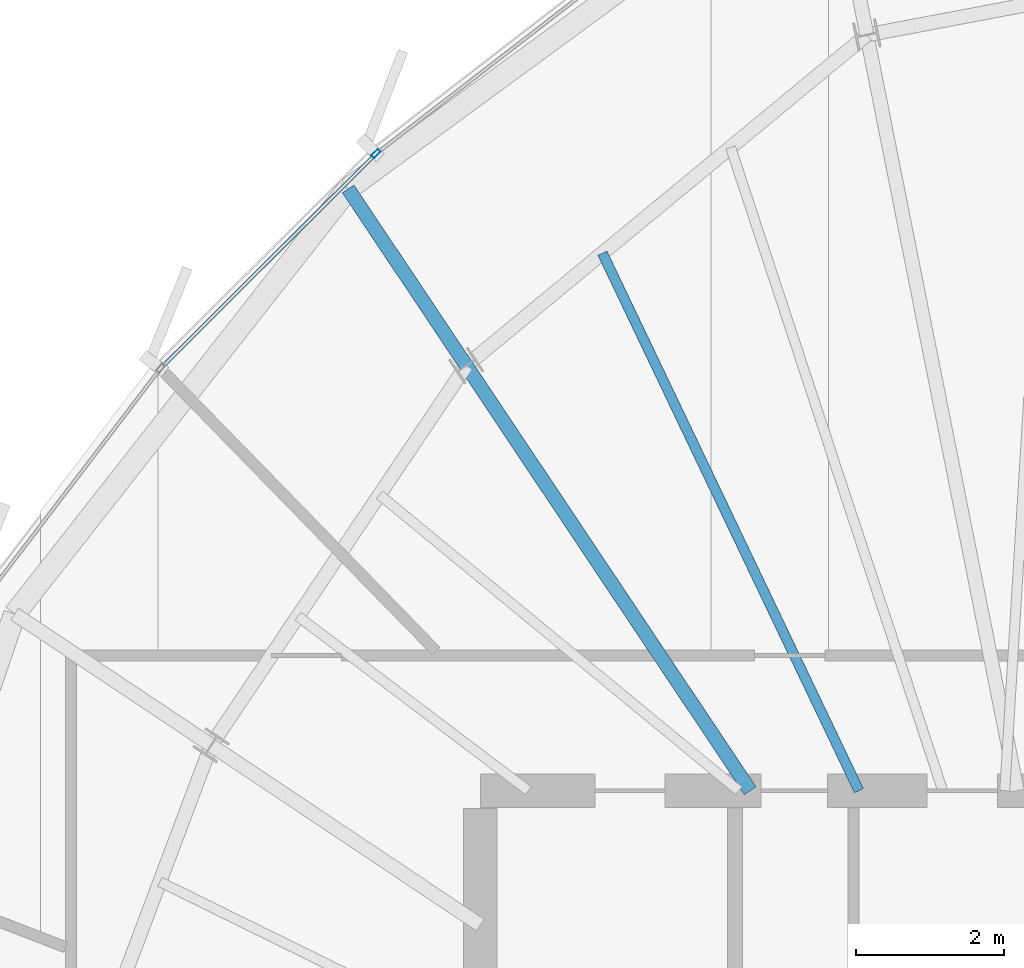
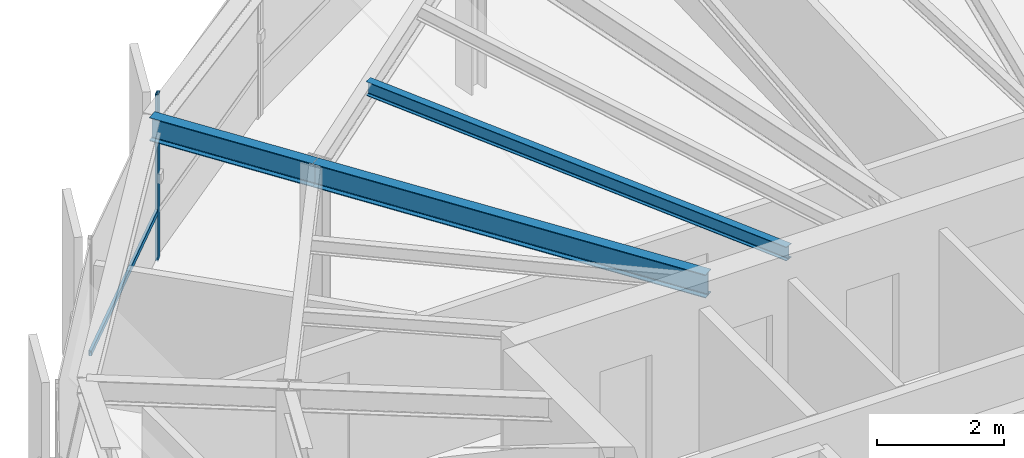
# One storey, part 18 of 34: 3 beams, 2 members, 1 element without a shape of its own.
"""IFC4 building model written with IfcOpenShell, lengths in metres."""

from ifc_helpers import new_model, si_unit, direction, frame, origin, origin_2d, place, context, subcontext, project, spatial, hollow_rectangle, i_section, extrude, source, transform, mapped, material, layer, layer_set, material_profile, profile_set, type_object, element, aggregate, save


model = new_model("IFC4")

# Units and contexts
model_context = context("Model", 3, precision=1e-05, world=origin(), true_north=direction((0.0, 1.0)))
body_context = subcontext(model_context, "Body", "Model", "MODEL_VIEW")
ifc_project = project(units=[si_unit("LENGTHUNIT", "METRE"), si_unit("AREAUNIT", "SQUARE_METRE"), si_unit("VOLUMEUNIT", "CUBIC_METRE"), si_unit("PLANEANGLEUNIT", "RADIAN"), si_unit("MASSUNIT", "GRAM", prefix="KILO"), si_unit("THERMODYNAMICTEMPERATUREUNIT", "KELVIN")], contexts=[model_context])

# Site, building, storey
site_placement = place(None, origin())
site = spatial("IfcSite", under=ifc_project, at=site_placement, CompositionType="ELEMENT")
building_placement = place(site_placement, origin())
building = spatial("IfcBuilding", under=site, at=building_placement, Name="Kethvar Cultural Tower", CompositionType="ELEMENT")
storey_placement = place(building_placement, frame((0.0, 0.0, 262.89990234375)))
storey = spatial("IfcBuildingStorey", under=building, at=storey_placement, Name="L69", CompositionType="ELEMENT", Elevation=262.89990234375)

# Beams
ifc_material_1 = material(Name="Steel S355J2", Category="steel")
ifc_material_profile_1 = material_profile(ifc_material_1, i_section(OverallWidth=0.18994140625, OverallDepth=0.449951171875, WebThickness=0.009521484375, FlangeThickness=0.0146484375, FilletRadius=0.02099609375, at=origin_2d()), Name="Steel S355J2 — IPE450")
ifc_profile_set_1 = profile_set([ifc_material_profile_1], Name="Steel S355J2 — IPE450")
beam_type_1 = type_object("IfcBeamType", Name="BM-IPE450", PredefinedType="BEAM", material=ifc_profile_set_1)
shared_shape_1 = source(origin(), body_context, "Body", "SweptSolid", [
    extrude(i_section(OverallWidth=0.18994140625, OverallDepth=0.449951171875, WebThickness=0.009521484375, FlangeThickness=0.0146484375, FilletRadius=0.02099609375, at=origin_2d()), origin(), (0.0, 0.0, 1.0), 6.921630859375),
])
beam_1_placement = place(storey_placement, frame((41.655029296875, 35.5, 2.983154296875), z_axis=(-0.555570841874, 0.831469205479, 0.0), x_axis=(-0.831469205479, -0.555570841874, 0.0)))
element("IfcBeam", 1, at=beam_1_placement, inside=storey, type_object=beam_type_1, Name="L69 Primary Radial Beam RB-06", PredefinedType="BEAM", context=body_context, shape_type="MappedRepresentation", body=[
    mapped(shared_shape_1, transform((0.0, 0.0, 0.0), scale=1.0)),
])
ifc_material_profile_2 = material_profile(ifc_material_1, i_section(OverallWidth=0.135009765625, OverallDepth=0.27001953125, WebThickness=0.006591796875, FlangeThickness=0.01025390625, FilletRadius=0.014892578125, at=origin_2d()), Name="Steel S355J2 — IPE270")
ifc_profile_set_2 = profile_set([ifc_material_profile_2], Name="Steel S355J2 — IPE270")
beam_type_2 = type_object("IfcBeamType", Name="BM-J270", PredefinedType="JOIST", material=ifc_profile_set_2)
shared_shape_2 = source(origin(), body_context, "Body", "SweptSolid", [
    extrude(i_section(OverallWidth=0.135009765625, OverallDepth=0.27001953125, WebThickness=0.006591796875, FlangeThickness=0.01025390625, FilletRadius=0.014892578125, at=origin_2d()), origin(), (0.0, 0.0, 1.0), 8.063232421875),
])
beam_2_placement = place(storey_placement, frame((43.1259765625, 35.5, 3.072998046875), z_axis=(-0.430642151588, 0.902522762746, 0.0), x_axis=(-0.902522762746, -0.430642151588, 0.0)))
element("IfcBeam", 2, at=beam_2_placement, inside=storey, type_object=beam_type_2, Name="L69 Composite Floor Joist J-05B", PredefinedType="JOIST", context=body_context, shape_type="MappedRepresentation", body=[
    mapped(shared_shape_2, transform((0.0, 0.0, 0.0), scale=1.0)),
])
shared_shape_3 = source(origin(), body_context, "Body", "SweptSolid", [
    extrude(i_section(OverallWidth=0.18994140625, OverallDepth=0.449951171875, WebThickness=0.009521484375, FlangeThickness=0.0146484375, FilletRadius=0.02099609375, at=origin_2d()), origin(), (0.0, 0.0, 1.0), 2.877197265625),
])
beam_3_placement = place(storey_placement, frame((37.8095703125, 41.255126953125, 2.983154296875), z_axis=(-0.555600591116, 0.83144932687, 0.0), x_axis=(-0.83144932687, -0.555600591116, 0.0)))
element("IfcBeam", 3, at=beam_3_placement, inside=storey, type_object=beam_type_1, Name="L69 Perimeter Cantilever Beam RC-06", PredefinedType="BEAM", context=body_context, shape_type="MappedRepresentation", body=[
    mapped(shared_shape_3, transform((0.0, 0.0, 0.0), scale=1.0)),
])

# Curtain wall, members
ifc_material_2 = material(Name="Aluminium 6063-T6", Category="aluminium")
ifc_layer = layer(ifc_material_2, 0.179931640625, Name="Aluminium 6063-T6", Category="aluminium")
ifc_layer_set = layer_set([ifc_layer], Name="Aluminium 6063-T6 (180 mm)")
curtain_wall_type = type_object("IfcCurtainWallType", Name="CW-SYS-05-Z56", PredefinedType="NOTDEFINED", material=ifc_layer_set)
curtain_wall_placement = place(storey_placement, origin())
curtain_wall = element("IfcCurtainWall", 4, at=curtain_wall_placement, inside=storey, type_object=curtain_wall_type, Name="L69 Curtain Wall Run 02", PredefinedType="NOTDEFINED")
ifc_material_profile_3 = material_profile(ifc_material_2, hollow_rectangle(XDim=0.054931640625, YDim=0.1201171875, WallThickness=0.00390625, at=origin_2d()), Name="Aluminium 6063-T6 — RHS120x55x4")
ifc_profile_set_3 = profile_set([ifc_material_profile_3], Name="Aluminium 6063-T6 — RHS120x55x4")
member_type_1 = type_object("IfcMemberType", Name="CW-SYS-05-Z56-MUL", PredefinedType="MULLION", material=ifc_profile_set_3)
shared_shape_4 = source(origin(), body_context, "Body", "SweptSolid", [
    extrude(hollow_rectangle(XDim=0.054931640625, YDim=0.1201171875, WallThickness=0.00390625, at=origin_2d()), origin(), (0.0, 0.0, 1.0), 3.210205078125),
])
member_1_placement = place(storey_placement, frame((36.588623046875, 44.124755859375, 0.0), z_axis=(0.0, 0.0, 1.0), x_axis=(0.705982827731, -0.708228950939, 0.0)))
member_1 = element("IfcMember", 5, at=member_1_placement, type_object=member_type_1, Name="CW-L69-R02 Mullion 2", PredefinedType="MULLION", context=body_context, shape_type="MappedRepresentation", body=[
    mapped(shared_shape_4, transform((0.0, 0.0, 0.0), scale=1.0)),
])
ifc_material_profile_4 = material_profile(ifc_material_2, hollow_rectangle(XDim=0.050048828125, YDim=0.10009765625, WallThickness=0.00390625, at=origin_2d()), Name="Aluminium 6063-T6 — RHS100x50x4")
ifc_profile_set_4 = profile_set([ifc_material_profile_4], Name="Aluminium 6063-T6 — RHS100x50x4")
member_type_2 = type_object("IfcMemberType", Name="CW-SYS-05-Z56-TRN", PredefinedType="USERDEFINED", material=ifc_profile_set_4)
shared_shape_5 = source(origin(), body_context, "Body", "SweptSolid", [
    extrude(hollow_rectangle(XDim=0.050048828125, YDim=0.10009765625, WallThickness=0.00390625, at=origin_2d()), origin(), (0.0, 0.0, 1.0), 4.054931640625),
])
member_2_placement = place(storey_placement, frame((36.560546875, 44.0966796875, 0.9501953125), z_axis=(-0.708219740975, -0.705992066877, 0.0), x_axis=(0.705992066877, -0.708219740975, 0.0)))
member_2 = element("IfcMember", 6, at=member_2_placement, type_object=member_type_2, Name="CW-L69-R02 Transom 2", ObjectType="TRANSOM", PredefinedType="USERDEFINED", context=body_context, shape_type="MappedRepresentation", body=[
    mapped(shared_shape_5, transform((0.0, 0.0, 0.0), scale=1.0)),
])
aggregate(curtain_wall, [member_1, member_2])

save(model, "model.ifc")
